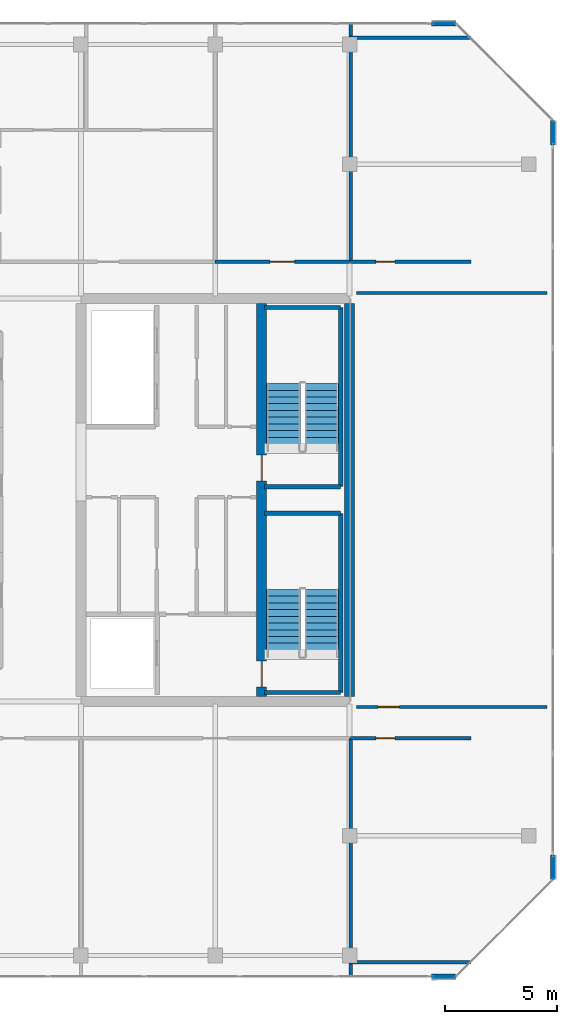
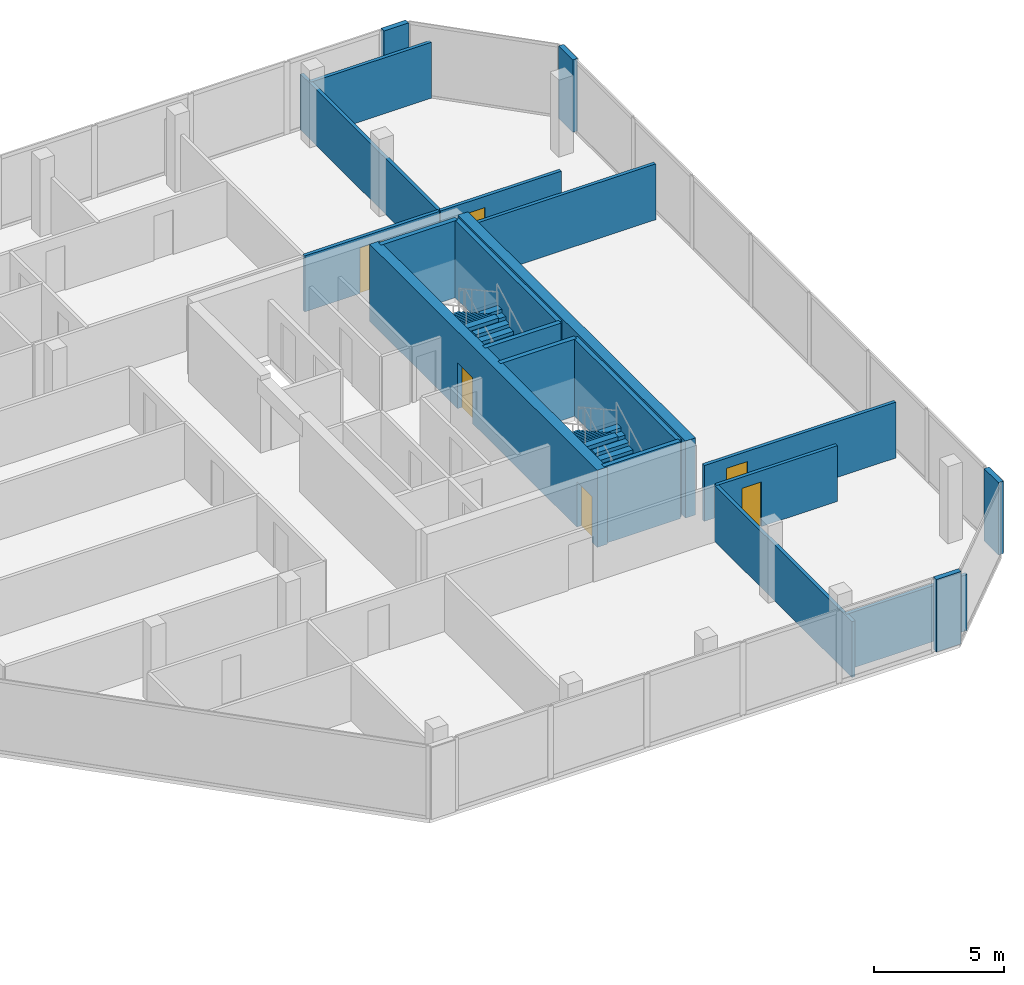
# One storey, part 26 of 28: 21 walls, 6 doors, 4 stair flights, 6 openings, 2 elements without a shape of their own.
"""IFC4 building model written with IfcOpenShell, lengths in metres."""

from ifc_helpers import new_model, si_unit, direction, frame, frame_2d, origin, place, context, subcontext, project, spatial, polyline, rectangle, outline, extrude, material, layer, layer_set, type_object, element, fill, aggregate, save


model = new_model("IFC4")

# Units and contexts
model_context = context("Model", 3, precision=1e-05, world=origin(), true_north=direction((0.0, 1.0)))
body_context = subcontext(model_context, "Body", "Model", "MODEL_VIEW")
ifc_project = project(units=[si_unit("LENGTHUNIT", "METRE"), si_unit("AREAUNIT", "SQUARE_METRE"), si_unit("VOLUMEUNIT", "CUBIC_METRE"), si_unit("PLANEANGLEUNIT", "RADIAN"), si_unit("MASSUNIT", "GRAM", prefix="KILO")], contexts=[model_context])

# Site, building, storey
site_placement = place(None, origin())
site = spatial("IfcSite", under=ifc_project, at=site_placement, CompositionType="ELEMENT")
building_placement = place(site_placement, origin())
building = spatial("IfcBuilding", under=site, at=building_placement, Name="Tanjung Sevakor Pilgrim Tower", CompositionType="ELEMENT")
storey_placement = place(building_placement, frame((0.0, 0.0, 257.070068359375)))
storey = spatial("IfcBuildingStorey", under=building, at=storey_placement, Name="L72", CompositionType="ELEMENT", Elevation=257.070068359375)

# Wall
ifc_material_1 = material(Name="Concrete C60/75", Category="concrete")
ifc_layer_1 = layer(ifc_material_1, 0.449951171875)
ifc_layer_set_1 = layer_set([ifc_layer_1], Name="WALL-CW-450")
wall_type_1 = type_object("IfcWallType", Name="WALL-CW-450", PredefinedType="SHEAR", material=ifc_layer_set_1)
wall_1_placement = place(storey_placement, frame((90.0, 24.824951171875, 0.0), z_axis=(0.0, 0.0, 1.0), x_axis=(0.0, 1.0, 0.0)))
element("IfcWall", 1, at=wall_1_placement, inside=storey, type_object=wall_type_1, Name="L72 E Core Outer Shear Wall", PredefinedType="SHEAR", context=body_context, shape_type="SweptSolid", body=[
    extrude(rectangle(XDim=17.550048828125, YDim=0.449951171875, at=frame_2d((8.77490234375, 0.0))), origin(), (0.0, 0.0, 1.0), 3.6298828125),
])

# Wall, openings, doors
wall_2_placement = place(storey_placement, frame((86.074951171875, 24.824951171875, 0.0), z_axis=(0.0, 0.0, 1.0), x_axis=(0.0, 1.0, 0.0)))
wall_2 = element("IfcWall", 2, at=wall_2_placement, inside=storey, type_object=wall_type_1, Name="L72 E Core Stair Spine Wall", PredefinedType="SHEAR", context=body_context, shape_type="SweptSolid", body=[
    extrude(rectangle(XDim=17.550048828125, YDim=0.449951171875, at=frame_2d((8.77490234375, 0.0))), origin(), (0.0, 0.0, 1.0), 3.6298828125),
])
opening_1_placement = place(wall_2_placement, frame((0.425048828125, 0.0, 0.0)))
opening_1 = element("IfcOpeningElement", 3, at=opening_1_placement, cuts=wall_2, Name="Opening ID-ST1", PredefinedType="OPENING", context=body_context, shape_type="SweptSolid", body=[
    extrude(rectangle(XDim=1.14990234375, YDim=2.14990234375, at=frame_2d((0.574951171875, 1.074951171875))), frame((0.0, 0.23486328125, 0.0), z_axis=(0.0, -1.0, 0.0), x_axis=(1.0, 0.0, 0.0)), (0.0, 0.0, 1.0), 0.469970703125),
])
opening_2_placement = place(wall_2_placement, frame((9.625, 0.0, 0.0)))
opening_2 = element("IfcOpeningElement", 4, at=opening_2_placement, cuts=wall_2, Name="Opening ID-ST1", PredefinedType="OPENING", context=body_context, shape_type="SweptSolid", body=[
    extrude(rectangle(XDim=1.14990234375, YDim=2.14990234375, at=frame_2d((0.574951171875, 1.074951171875))), frame((0.0, 0.23486328125, 0.0), z_axis=(0.0, -1.0, 0.0), x_axis=(1.0, 0.0, 0.0)), (0.0, 0.0, 1.0), 0.469970703125),
])
ifc_material_2 = material(Name="Fire-Rated Steel S355J2", Category="steel")
door_type_1 = type_object("IfcDoorType", Name="DT-FIRE-1150", OperationType="NOTDEFINED", PredefinedType="DOOR", material=ifc_material_2)
door_1_placement = place(opening_1_placement, origin())
door_1 = element("IfcDoor", 5, at=door_1_placement, inside=storey, type_object=door_type_1, Name="L72 TS-E1 Stair Fire Door", OperationType="SINGLE_SWING_LEFT", OverallHeight=2.14990234375, OverallWidth=1.14990234375, PredefinedType="DOOR", context=body_context, shape_type="SweptSolid", body=[
    extrude(rectangle(XDim=1.14990234375, YDim=2.14990234375, at=frame_2d((0.574951171875, 1.074951171875))), frame((0.0, 0.02490234375, 0.0), z_axis=(0.0, -1.0, 0.0), x_axis=(1.0, 0.0, 0.0)), (0.0, 0.0, 1.0), 0.050048828125),
])
fill(opening_1, door_1)
door_2_placement = place(opening_2_placement, origin())
door_2 = element("IfcDoor", 6, at=door_2_placement, inside=storey, type_object=door_type_1, Name="L72 TS-E2 Stair Fire Door", OperationType="SINGLE_SWING_RIGHT", OverallHeight=2.14990234375, OverallWidth=1.14990234375, PredefinedType="DOOR", context=body_context, shape_type="SweptSolid", body=[
    extrude(rectangle(XDim=1.14990234375, YDim=2.14990234375, at=frame_2d((0.574951171875, 1.074951171875))), frame((0.0, 0.02490234375, 0.0), z_axis=(0.0, -1.0, 0.0), x_axis=(1.0, 0.0, 0.0)), (0.0, 0.0, 1.0), 0.050048828125),
])
fill(opening_2, door_2)

# Wall, opening, door
ifc_material_3 = material(Name="Concrete C40/50", Category="concrete")
ifc_layer_2 = layer(ifc_material_3, 0.14990234375)
ifc_layer_set_2 = layer_set([ifc_layer_2], Name="WT-COMP-150")
wall_type_2 = type_object("IfcWallType", Name="WT-COMP-150", PredefinedType="SOLIDWALL", material=ifc_layer_set_2)
wall_3_placement = place(storey_placement, frame((90.300048828125, 24.35009765625, 0.0), z_axis=(0.0, 0.0, 1.0), x_axis=(1.0, 0.0, 0.0)))
wall_3 = element("IfcWall", 7, at=wall_3_placement, inside=storey, type_object=wall_type_2, Name="L72 Partition IW-L72-049", PredefinedType="SOLIDWALL", context=body_context, shape_type="SweptSolid", body=[
    extrude(rectangle(XDim=8.52001953125, YDim=0.14990234375, at=frame_2d((4.260009765625, 0.0))), origin(), (0.0, 0.0, 1.0), 2.6298828125),
])
opening_3_placement = place(wall_3_placement, frame((0.97509765625, 0.0, 0.0)))
opening_3 = element("IfcOpeningElement", 8, at=opening_3_placement, cuts=wall_3, Name="Opening ID-RM1", PredefinedType="OPENING", context=body_context, shape_type="SweptSolid", body=[
    extrude(rectangle(XDim=0.949951171875, YDim=2.14990234375, at=frame_2d((0.47509765625, 1.074951171875))), frame((0.0, 0.0849609375, 0.0), z_axis=(0.0, -1.0, 0.0), x_axis=(1.0, 0.0, 0.0)), (0.0, 0.0, 1.0), 0.169921875),
])
ifc_material_4 = material(Name="Hardwood Timber", Category="wood")
door_type_2 = type_object("IfcDoorType", Name="DT-INT-950", OperationType="NOTDEFINED", PredefinedType="DOOR", material=ifc_material_4)
door_3_placement = place(opening_3_placement, origin())
door_3 = element("IfcDoor", 9, at=door_3_placement, inside=storey, type_object=door_type_2, Name="L72 East Crown Sanctuary Door", OperationType="SINGLE_SWING_LEFT", OverallHeight=2.14990234375, OverallWidth=0.949951171875, PredefinedType="DOOR", context=body_context, shape_type="SweptSolid", body=[
    extrude(rectangle(XDim=0.949951171875, YDim=2.14990234375, at=frame_2d((0.47509765625, 1.074951171875))), frame((0.0, 0.02490234375, 0.0), z_axis=(0.0, -1.0, 0.0), x_axis=(1.0, 0.0, 0.0)), (0.0, 0.0, 1.0), 0.050048828125),
])
fill(opening_3, door_3)

# Walls
wall_4_placement = place(storey_placement, frame((90.300048828125, 42.85009765625, 0.0), z_axis=(0.0, 0.0, 1.0), x_axis=(1.0, 0.0, 0.0)))
element("IfcWall", 10, at=wall_4_placement, inside=storey, type_object=wall_type_2, Name="L72 Partition IW-L72-050", PredefinedType="SOLIDWALL", context=body_context, shape_type="SweptSolid", body=[
    extrude(rectangle(XDim=8.52001953125, YDim=0.14990234375, at=frame_2d((4.260009765625, 0.0))), origin(), (0.0, 0.0, 1.0), 2.6298828125),
])
wall_5_placement = place(storey_placement, frame((90.050048828125, 12.949951171875, 0.0), z_axis=(0.0, 0.0, 1.0), x_axis=(1.0, 0.0, 0.0)))
element("IfcWall", 11, at=wall_5_placement, inside=storey, type_object=wall_type_2, Name="L72 Partition IW-L72-051", PredefinedType="SOLIDWALL", context=body_context, shape_type="SweptSolid", body=[
    extrude(rectangle(XDim=5.369873046875, YDim=0.14990234375, at=frame_2d((2.68505859375, 0.0))), origin(), (0.0, 0.0, 1.0), 2.6298828125),
])

# Wall, opening, door
wall_6_placement = place(storey_placement, frame((90.050048828125, 22.949951171875, 0.0), z_axis=(0.0, 0.0, 1.0), x_axis=(1.0, 0.0, 0.0)))
wall_6 = element("IfcWall", 12, at=wall_6_placement, inside=storey, type_object=wall_type_2, Name="L72 Partition IW-L72-052", PredefinedType="SOLIDWALL", context=body_context, shape_type="SweptSolid", body=[
    extrude(rectangle(XDim=5.369873046875, YDim=0.14990234375, at=frame_2d((2.68505859375, 0.0))), origin(), (0.0, 0.0, 1.0), 2.6298828125),
])
opening_4_placement = place(wall_6_placement, frame((1.125, 0.0, 0.0)))
opening_4 = element("IfcOpeningElement", 13, at=opening_4_placement, cuts=wall_6, Name="Opening ID-WC1", PredefinedType="OPENING", context=body_context, shape_type="SweptSolid", body=[
    extrude(rectangle(XDim=0.85009765625, YDim=2.10009765625, at=frame_2d((0.425048828125, 1.050048828125))), frame((0.0, 0.0849609375, 0.0), z_axis=(0.0, -1.0, 0.0), x_axis=(1.0, 0.0, 0.0)), (0.0, 0.0, 1.0), 0.169921875),
])
ifc_material_5 = material(Name="Moisture-Resistant Timber", Category="wood")
door_type_3 = type_object("IfcDoorType", Name="DT-INT-850", OperationType="NOTDEFINED", PredefinedType="DOOR", material=ifc_material_5)
door_4_placement = place(opening_4_placement, origin())
door_4 = element("IfcDoor", 14, at=door_4_placement, inside=storey, type_object=door_type_3, Name="L72 SE Crown Study Door", OperationType="SINGLE_SWING_RIGHT", OverallHeight=2.10009765625, OverallWidth=0.85009765625, PredefinedType="DOOR", context=body_context, shape_type="SweptSolid", body=[
    extrude(rectangle(XDim=0.85009765625, YDim=2.10009765625, at=frame_2d((0.425048828125, 1.050048828125))), frame((0.0, 0.02490234375, 0.0), z_axis=(0.0, -1.0, 0.0), x_axis=(1.0, 0.0, 0.0)), (0.0, 0.0, 1.0), 0.050048828125),
])
fill(opening_4, door_4)

# Wall
wall_7_placement = place(storey_placement, frame((90.050048828125, 12.340087890625, 0.0), z_axis=(0.0, 0.0, 1.0), x_axis=(0.0, 1.0, 0.0)))
element("IfcWall", 15, at=wall_7_placement, inside=storey, type_object=wall_type_2, Name="L72 Partition IW-L72-053", PredefinedType="SOLIDWALL", context=body_context, shape_type="SweptSolid", body=[
    extrude(rectangle(XDim=10.60986328125, YDim=0.14990234375, at=frame_2d((5.304931640625, 0.0))), origin(), (0.0, 0.0, 1.0), 2.6298828125),
])

# Wall, opening, door
wall_8_placement = place(storey_placement, frame((90.050048828125, 44.25, 0.0), z_axis=(0.0, 0.0, 1.0), x_axis=(1.0, 0.0, 0.0)))
wall_8 = element("IfcWall", 16, at=wall_8_placement, inside=storey, type_object=wall_type_2, Name="L72 Partition IW-L72-054", PredefinedType="SOLIDWALL", context=body_context, shape_type="SweptSolid", body=[
    extrude(rectangle(XDim=5.369873046875, YDim=0.14990234375, at=frame_2d((2.68505859375, 0.0))), origin(), (0.0, 0.0, 1.0), 2.6298828125),
])
opening_5_placement = place(wall_8_placement, frame((1.125, 0.0, 0.0)))
opening_5 = element("IfcOpeningElement", 17, at=opening_5_placement, cuts=wall_8, Name="Opening ID-WC1", PredefinedType="OPENING", context=body_context, shape_type="SweptSolid", body=[
    extrude(rectangle(XDim=0.85009765625, YDim=2.10009765625, at=frame_2d((0.425048828125, 1.050048828125))), frame((0.0, 0.0849609375, 0.0), z_axis=(0.0, -1.0, 0.0), x_axis=(1.0, 0.0, 0.0)), (0.0, 0.0, 1.0), 0.169921875),
])
door_5_placement = place(opening_5_placement, origin())
door_5 = element("IfcDoor", 18, at=door_5_placement, inside=storey, type_object=door_type_3, Name="L72 NE Crown Lounge Door", OperationType="SINGLE_SWING_LEFT", OverallHeight=2.10009765625, OverallWidth=0.85009765625, PredefinedType="DOOR", context=body_context, shape_type="SweptSolid", body=[
    extrude(rectangle(XDim=0.85009765625, YDim=2.10009765625, at=frame_2d((0.425048828125, 1.050048828125))), frame((0.0, 0.02490234375, 0.0), z_axis=(0.0, -1.0, 0.0), x_axis=(1.0, 0.0, 0.0)), (0.0, 0.0, 1.0), 0.050048828125),
])
fill(opening_5, door_5)

# Walls
wall_9_placement = place(storey_placement, frame((90.050048828125, 54.25, 0.0), z_axis=(0.0, 0.0, 1.0), x_axis=(1.0, 0.0, 0.0)))
element("IfcWall", 19, at=wall_9_placement, inside=storey, type_object=wall_type_2, Name="L72 Partition IW-L72-055", PredefinedType="SOLIDWALL", context=body_context, shape_type="SweptSolid", body=[
    extrude(rectangle(XDim=5.369873046875, YDim=0.14990234375, at=frame_2d((2.68505859375, 0.0))), origin(), (0.0, 0.0, 1.0), 2.6298828125),
])
wall_10_placement = place(storey_placement, frame((90.050048828125, 44.25, 0.0), z_axis=(0.0, 0.0, 1.0), x_axis=(0.0, 1.0, 0.0)))
element("IfcWall", 20, at=wall_10_placement, inside=storey, type_object=wall_type_2, Name="L72 Partition IW-L72-056", PredefinedType="SOLIDWALL", context=body_context, shape_type="SweptSolid", body=[
    extrude(rectangle(XDim=10.610107421875, YDim=0.14990234375, at=frame_2d((5.30517578125, 0.0))), origin(), (0.0, 0.0, 1.0), 2.6298828125),
])

# Wall, opening, door
wall_11_placement = place(storey_placement, frame((84.0, 44.25, 0.0), z_axis=(0.0, 0.0, 1.0), x_axis=(1.0, 0.0, 0.0)))
wall_11 = element("IfcWall", 21, at=wall_11_placement, inside=storey, type_object=wall_type_2, Name="L72 Partition IW-L72-066", PredefinedType="SOLIDWALL", context=body_context, shape_type="SweptSolid", body=[
    extrude(rectangle(XDim=6.0, YDim=0.14990234375, at=frame_2d((3.0, 0.0))), origin(), (0.0, 0.0, 1.0), 2.6298828125),
])
opening_6_placement = place(wall_11_placement, frame((2.449951171875, 0.0, 0.0)))
opening_6 = element("IfcOpeningElement", 22, at=opening_6_placement, cuts=wall_11, Name="Opening ID-FD0", PredefinedType="OPENING", context=body_context, shape_type="SweptSolid", body=[
    extrude(rectangle(XDim=1.10009765625, YDim=2.14990234375, at=frame_2d((0.550048828125, 1.074951171875))), frame((0.0, 0.0849609375, 0.0), z_axis=(0.0, -1.0, 0.0), x_axis=(1.0, 0.0, 0.0)), (0.0, 0.0, 1.0), 0.169921875),
])
ifc_material_6 = material(Name="Fire-Rated Steel S355J2", Category="steel")
door_type_4 = type_object("IfcDoorType", Name="DT-FIRE-1100", OperationType="NOTDEFINED", PredefinedType="DOOR", material=ifc_material_6)
door_6_placement = place(opening_6_placement, origin())
door_6 = element("IfcDoor", 23, at=door_6_placement, inside=storey, type_object=door_type_4, Name="Council Room Door", OperationType="SINGLE_SWING_LEFT", OverallHeight=2.14990234375, OverallWidth=1.10009765625, PredefinedType="DOOR", context=body_context, shape_type="SweptSolid", body=[
    extrude(rectangle(XDim=1.10009765625, YDim=2.14990234375, at=frame_2d((0.550048828125, 1.074951171875))), frame((0.0, 0.02490234375, 0.0), z_axis=(0.0, -1.0, 0.0), x_axis=(1.0, 0.0, 0.0)), (0.0, 0.0, 1.0), 0.050048828125),
])
fill(opening_6, door_6)

# Walls
ifc_material_7 = material(Name="Precast concrete C45/55", Category="concrete")
ifc_layer_3 = layer(ifc_material_7, 0.219970703125)
ifc_layer_set_3 = layer_set([ifc_layer_3], Name="WT-EW-STN4")
wall_type_3 = type_object("IfcWallType", Name="WT-EW-STN4", PredefinedType="SOLIDWALL", material=ifc_layer_set_3)
for number, where, z_axis, x_axis, name in (
    (24, (93.654296875, 12.31005859375, 0.0), (0.0, 0.0, 1.0), (1.0, 0.0, 0.0), "L72 EAST Crown Pier 0-1B"),
    (25, (99.090087890625, 16.6455078125, 0.0), (0.0, 0.0, 1.0), (0.0, 1.0, 0.0), "L72 EAST Crown Pier 2-1A"),
    (26, (99.090087890625, 49.454345703125, 0.0), (0.0, 0.0, 1.0), (0.0, 1.0, 0.0), "L72 EAST Crown Pier 2-1B"),
    (27, (94.75439453125, 54.889892578125, 0.0), (0.0, 0.0, 1.0), (-1.0, 0.0, 0.0), "L72 EAST Crown Pier 4-1A"),
):
    element("IfcWall", number, at=place(storey_placement, frame(where, z_axis=z_axis, x_axis=x_axis)), inside=storey, type_object=wall_type_3, Name=name, PredefinedType="SOLIDWALL", context=body_context, shape_type="SweptSolid", body=[
        extrude(rectangle(XDim=1.10009765625, YDim=0.219970703125, at=frame_2d((0.550048828125, 0.0))), origin(), (0.0, 0.0, 1.0), 3.409912109375),
    ])
ifc_material_8 = material(Name="Concrete C40/50", Category="concrete")
ifc_layer_4 = layer(ifc_material_8, 0.199951171875)
ifc_layer_set_4 = layer_set([ifc_layer_4], Name="WT-FIRE-200")
wall_type_4 = type_object("IfcWallType", Name="WT-FIRE-200", PredefinedType="SOLIDWALL", material=ifc_layer_set_4)
wall_12_placement = place(storey_placement, frame((86.199951171875, 25.0, 0.0), z_axis=(0.0, 0.0, 1.0), x_axis=(1.0, 0.0, 0.0)))
element("IfcWall", 28, at=wall_12_placement, inside=storey, type_object=wall_type_4, Name="L72 TS-E1 Shaft Wall 1", PredefinedType="SOLIDWALL", context=body_context, shape_type="SweptSolid", body=[
    extrude(rectangle(XDim=3.400146484375, YDim=0.199951171875, at=frame_2d((1.7001953125, 0.0))), origin(), (0.0, 0.0, 1.0), 3.6298828125),
])
wall_13_placement = place(storey_placement, frame((89.60009765625, 25.0, 0.0), z_axis=(0.0, 0.0, 1.0), x_axis=(0.0, 1.0, 0.0)))
element("IfcWall", 29, at=wall_13_placement, inside=storey, type_object=wall_type_4, Name="L72 TS-E1 Shaft Wall 2", PredefinedType="SOLIDWALL", context=body_context, shape_type="SweptSolid", body=[
    extrude(rectangle(XDim=8.0, YDim=0.199951171875, at=frame_2d((4.0, 0.0))), origin(), (0.0, 0.0, 1.0), 3.6298828125),
])
for number, where, z_axis, x_axis, name in (
    (30, (89.60009765625, 33.0, 0.0), (0.0, 0.0, 1.0), (-1.0, 0.0, 0.0), "L72 TS-E1 Shaft Wall 3"),
    (31, (86.199951171875, 34.199951171875, 0.0), (0.0, 0.0, 1.0), (1.0, 0.0, 0.0), "L72 TS-E2 Shaft Wall 1"),
):
    element("IfcWall", number, at=place(storey_placement, frame(where, z_axis=z_axis, x_axis=x_axis)), inside=storey, type_object=wall_type_4, Name=name, PredefinedType="SOLIDWALL", context=body_context, shape_type="SweptSolid", body=[
        extrude(rectangle(XDim=3.400146484375, YDim=0.199951171875, at=frame_2d((1.7001953125, 0.0))), origin(), (0.0, 0.0, 1.0), 3.6298828125),
    ])
wall_14_placement = place(storey_placement, frame((89.60009765625, 34.199951171875, 0.0), z_axis=(0.0, 0.0, 1.0), x_axis=(0.0, 1.0, 0.0)))
element("IfcWall", 32, at=wall_14_placement, inside=storey, type_object=wall_type_4, Name="L72 TS-E2 Shaft Wall 2", PredefinedType="SOLIDWALL", context=body_context, shape_type="SweptSolid", body=[
    extrude(rectangle(XDim=8.0, YDim=0.199951171875, at=frame_2d((4.0, 0.0))), origin(), (0.0, 0.0, 1.0), 3.6298828125),
])
wall_15_placement = place(storey_placement, frame((89.60009765625, 42.199951171875, 0.0), z_axis=(0.0, 0.0, 1.0), x_axis=(-1.0, 0.0, 0.0)))
element("IfcWall", 33, at=wall_15_placement, inside=storey, type_object=wall_type_4, Name="L72 TS-E2 Shaft Wall 3", PredefinedType="SOLIDWALL", context=body_context, shape_type="SweptSolid", body=[
    extrude(rectangle(XDim=3.400146484375, YDim=0.199951171875, at=frame_2d((1.7001953125, 0.0))), origin(), (0.0, 0.0, 1.0), 3.6298828125),
])

# Stair, stair flights
ifc_material_9 = material(Name="Concrete C40/50", Category="concrete")
stair_type = type_object("IfcStairType", Name="STAIR-ST-CR150", PredefinedType="HALF_TURN_STAIR", material=ifc_material_9)
stair_1_placement = place(storey_placement, origin())
stair_1 = element("IfcStair", 34, at=stair_1_placement, inside=storey, type_object=stair_type, Name="L72 East Core Exit Stair 1", PredefinedType="HALF_TURN_STAIR")
ifc_material_10 = material(Name="Concrete C40/50", Category="concrete")
stair_flight_type = type_object("IfcStairFlightType", Name="FLIGHT-ST-CR150", PredefinedType="STRAIGHT", material=ifc_material_10)
stair_flight_1_placement = place(storey_placement, frame((88.75, 26.60009765625, 0.0), z_axis=(0.0, 0.0, 1.0), x_axis=(0.0, 1.0, 0.0)))
stair_flight_1 = element("IfcStairFlight", 35, at=stair_flight_1_placement, type_object=stair_flight_type, Name="TS-E1 flight 1", NumberOfRisers=11, NumberOfTreads=10, PredefinedType="STRAIGHT", RiserHeight=0.165, TreadLength=0.3, context=body_context, shape_type="SweptSolid", body=[
    extrude(outline(polyline([(0.0, 0.0), (0.0, 0.1650390625), (0.300048828125, 0.1650390625), (0.300048828125, 0.330078125), (0.60009765625, 0.330078125), (0.60009765625, 0.4951171875), (0.89990234375, 0.4951171875), (0.89990234375, 0.659912109375), (1.199951171875, 0.659912109375), (1.199951171875, 0.824951171875), (1.5, 0.824951171875), (1.5, 0.989990234375), (1.800048828125, 0.989990234375), (1.800048828125, 1.155029296875), (2.10009765625, 1.155029296875), (2.10009765625, 1.320068359375), (2.39990234375, 1.320068359375), (2.39990234375, 1.485107421875), (2.699951171875, 1.485107421875), (2.699951171875, 1.64990234375), (3.0, 1.64990234375), (3.0, 1.81494140625), (3.0, 1.467529296875), (0.331787109375, 0.0), (0.0, 0.0)])), frame((0.0, 0.75, 0.0), z_axis=(0.0, -1.0, 0.0), x_axis=(1.0, 0.0, 0.0)), (0.0, 0.0, 1.0), 1.5),
])
stair_flight_2_placement = place(storey_placement, frame((87.050048828125, 29.60009765625, 1.81494140625), z_axis=(0.0, 0.0, 1.0), x_axis=(0.0, -1.0, 0.0)))
stair_flight_2 = element("IfcStairFlight", 36, at=stair_flight_2_placement, type_object=stair_flight_type, Name="TS-E1 flight 2", NumberOfRisers=11, NumberOfTreads=10, PredefinedType="STRAIGHT", RiserHeight=0.165, TreadLength=0.3, context=body_context, shape_type="SweptSolid", body=[
    extrude(outline(polyline([(0.0, 0.0), (0.0, 0.1650390625), (0.300048828125, 0.1650390625), (0.300048828125, 0.330078125), (0.60009765625, 0.330078125), (0.60009765625, 0.4951171875), (0.89990234375, 0.4951171875), (0.89990234375, 0.659912109375), (1.199951171875, 0.659912109375), (1.199951171875, 0.824951171875), (1.5, 0.824951171875), (1.5, 0.989990234375), (1.800048828125, 0.989990234375), (1.800048828125, 1.155029296875), (2.10009765625, 1.155029296875), (2.10009765625, 1.320068359375), (2.39990234375, 1.320068359375), (2.39990234375, 1.485107421875), (2.699951171875, 1.485107421875), (2.699951171875, 1.64990234375), (3.0, 1.64990234375), (3.0, 1.81494140625), (3.0, 1.467529296875), (0.331787109375, 0.0), (0.0, 0.0)])), frame((0.0, 0.75, 0.0), z_axis=(0.0, -1.0, 0.0), x_axis=(1.0, 0.0, 0.0)), (0.0, 0.0, 1.0), 1.5),
])
aggregate(stair_1, [stair_flight_1, stair_flight_2])

stair_2_placement = place(storey_placement, origin())
stair_2 = element("IfcStair", 37, at=stair_2_placement, inside=storey, type_object=stair_type, Name="L72 East Core Exit Stair 2", PredefinedType="HALF_TURN_STAIR")
stair_flight_3_placement = place(storey_placement, frame((88.75, 35.800048828125, 0.0), z_axis=(0.0, 0.0, 1.0), x_axis=(0.0, 1.0, 0.0)))
stair_flight_3 = element("IfcStairFlight", 38, at=stair_flight_3_placement, type_object=stair_flight_type, Name="TS-E2 flight 1", NumberOfRisers=11, NumberOfTreads=10, PredefinedType="STRAIGHT", RiserHeight=0.165, TreadLength=0.3, context=body_context, shape_type="SweptSolid", body=[
    extrude(outline(polyline([(0.0, 0.0), (0.0, 0.1650390625), (0.300048828125, 0.1650390625), (0.300048828125, 0.330078125), (0.60009765625, 0.330078125), (0.60009765625, 0.4951171875), (0.89990234375, 0.4951171875), (0.89990234375, 0.659912109375), (1.199951171875, 0.659912109375), (1.199951171875, 0.824951171875), (1.5, 0.824951171875), (1.5, 0.989990234375), (1.800048828125, 0.989990234375), (1.800048828125, 1.155029296875), (2.10009765625, 1.155029296875), (2.10009765625, 1.320068359375), (2.39990234375, 1.320068359375), (2.39990234375, 1.485107421875), (2.699951171875, 1.485107421875), (2.699951171875, 1.64990234375), (3.0, 1.64990234375), (3.0, 1.81494140625), (3.0, 1.467529296875), (0.331787109375, 0.0), (0.0, 0.0)])), frame((0.0, 0.75, 0.0), z_axis=(0.0, -1.0, 0.0), x_axis=(1.0, 0.0, 0.0)), (0.0, 0.0, 1.0), 1.5),
])
stair_flight_4_placement = place(storey_placement, frame((87.050048828125, 38.800048828125, 1.81494140625), z_axis=(0.0, 0.0, 1.0), x_axis=(0.0, -1.0, 0.0)))
stair_flight_4 = element("IfcStairFlight", 39, at=stair_flight_4_placement, type_object=stair_flight_type, Name="TS-E2 flight 2", NumberOfRisers=11, NumberOfTreads=10, PredefinedType="STRAIGHT", RiserHeight=0.165, TreadLength=0.3, context=body_context, shape_type="SweptSolid", body=[
    extrude(outline(polyline([(0.0, 0.0), (0.0, 0.1650390625), (0.300048828125, 0.1650390625), (0.300048828125, 0.330078125), (0.60009765625, 0.330078125), (0.60009765625, 0.4951171875), (0.89990234375, 0.4951171875), (0.89990234375, 0.659912109375), (1.199951171875, 0.659912109375), (1.199951171875, 0.824951171875), (1.5, 0.824951171875), (1.5, 0.989990234375), (1.800048828125, 0.989990234375), (1.800048828125, 1.155029296875), (2.10009765625, 1.155029296875), (2.10009765625, 1.320068359375), (2.39990234375, 1.320068359375), (2.39990234375, 1.485107421875), (2.699951171875, 1.485107421875), (2.699951171875, 1.64990234375), (3.0, 1.64990234375), (3.0, 1.81494140625), (3.0, 1.467529296875), (0.331787109375, 0.0), (0.0, 0.0)])), frame((0.0, 0.75, 0.0), z_axis=(0.0, -1.0, 0.0), x_axis=(1.0, 0.0, 0.0)), (0.0, 0.0, 1.0), 1.5),
])
aggregate(stair_2, [stair_flight_3, stair_flight_4])

save(model, "model.ifc")
